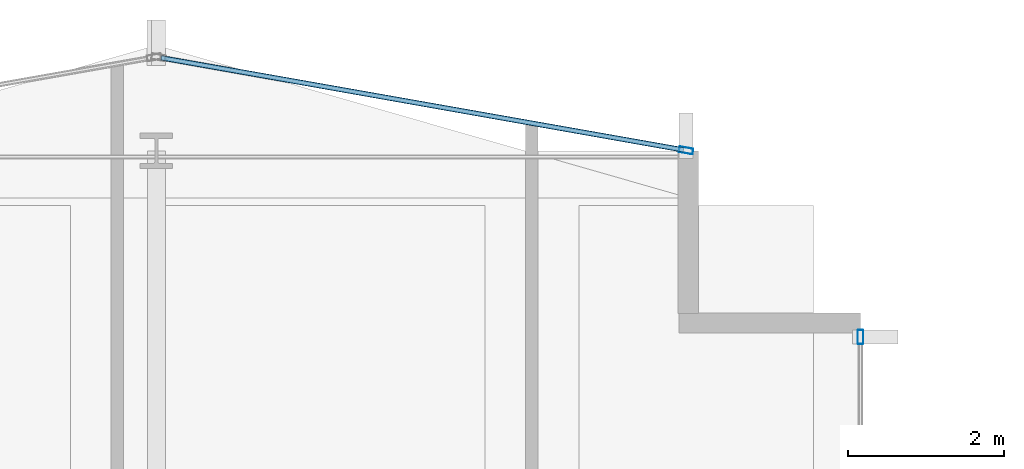
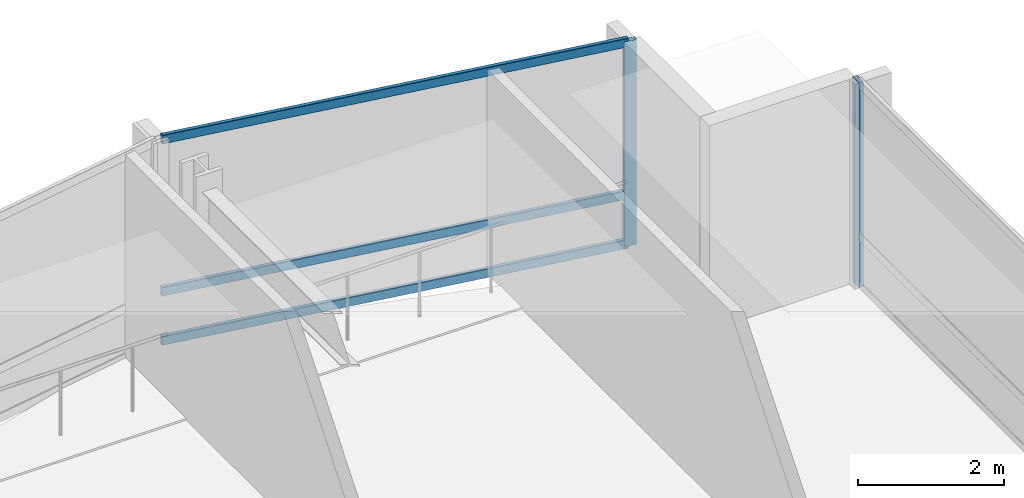
# One storey, part 20 of 29: 5 members, 2 elements without a shape of their own.
"""IFC4 building model written with IfcOpenShell, lengths in metres."""

from ifc_helpers import new_model, si_unit, direction, frame, origin, origin_2d, place, context, subcontext, project, spatial, hollow_rectangle, extrude, material, layer, layer_set, material_profile, profile_set, type_object, element, aggregate, save


model = new_model("IFC4")

# Units and contexts
model_context = context("Model", 3, precision=1e-05, world=origin(), true_north=direction((0.0, 1.0)))
body_context = subcontext(model_context, "Body", "Model", "MODEL_VIEW")
ifc_project = project(units=[si_unit("LENGTHUNIT", "METRE"), si_unit("AREAUNIT", "SQUARE_METRE"), si_unit("VOLUMEUNIT", "CUBIC_METRE"), si_unit("PLANEANGLEUNIT", "RADIAN"), si_unit("MASSUNIT", "GRAM", prefix="KILO")], contexts=[model_context])

# Site, building, storey
site_placement = place(None, origin())
site = spatial("IfcSite", under=ifc_project, at=site_placement, CompositionType="ELEMENT")
building_placement = place(site_placement, origin())
building = spatial("IfcBuilding", under=site, at=building_placement, Name="Solvaryn Broadcast Tower", CompositionType="ELEMENT")
storey_placement = place(building_placement, frame((0.0, 0.0, 113.699951171875)))
storey = spatial("IfcBuildingStorey", under=building, at=storey_placement, Name="L27", CompositionType="ELEMENT", Elevation=113.699951171875)

# Curtain wall, member
ifc_material_1 = material(Name="Aluminium and Terracotta Unitised Curtain Wall", Category="masonry")
ifc_layer = layer(ifc_material_1, 0.199951171875)
ifc_layer_set = layer_set([ifc_layer], Name="CW-SYS2-LOWMID")
curtain_wall_type = type_object("IfcCurtainWallType", Name="CW-SYS2-LOWMID", PredefinedType="NOTDEFINED", material=ifc_layer_set)
curtain_wall_1_placement = place(storey_placement, origin())
curtain_wall_1 = element("IfcCurtainWall", 1, at=curtain_wall_1_placement, inside=storey, type_object=curtain_wall_type, Name="L27 Curtain Wall IV", PredefinedType="NOTDEFINED")
ifc_material_2 = material(Name="Anodised Aluminium 6063-T6", Category="aluminium")
ifc_material_profile_1 = material_profile(ifc_material_2, hollow_rectangle(XDim=0.074951171875, YDim=0.179931640625, WallThickness=0.00390625, InnerFilletRadius=0.00390625, OuterFilletRadius=0.008056640625, at=origin_2d()))
ifc_profile_set_1 = profile_set([ifc_material_profile_1], Name="Anodised Aluminium 6063-T6")
member_type_1 = type_object("IfcMemberType", Name="CW-MUL-180", PredefinedType="MULLION", material=ifc_profile_set_1)
member_1_placement = place(storey_placement, frame((27.0, 51.6201171875, 0.0), z_axis=(0.0, 0.0, 1.0), x_axis=(1.0, 0.0, 0.0)))
member_1 = element("IfcMember", 2, at=member_1_placement, type_object=member_type_1, Name="CWS2 mullion 1", PredefinedType="MULLION", context=body_context, shape_type="SweptSolid", body=[
    extrude(hollow_rectangle(XDim=0.074951171875, YDim=0.179931640625, WallThickness=0.00390625, InnerFilletRadius=0.00390625, OuterFilletRadius=0.008056640625, at=origin_2d()), origin(), (0.0, 0.0, 1.0), 3.420166015625),
])
aggregate(curtain_wall_1, [member_1])

# Curtain wall, members
curtain_wall_2_placement = place(storey_placement, origin())
curtain_wall_2 = element("IfcCurtainWall", 3, at=curtain_wall_2_placement, inside=storey, type_object=curtain_wall_type, Name="L27 Curtain Wall NT1", PredefinedType="NOTDEFINED")
member_2_placement = place(storey_placement, frame((24.7705078125, 54.005126953125, 0.0), z_axis=(0.0, 0.0, 1.0), x_axis=(-0.173785333901, -0.984783558819, 0.0)))
member_2 = element("IfcMember", 4, at=member_2_placement, type_object=member_type_1, Name="CWS2 mullion 1", PredefinedType="MULLION", context=body_context, shape_type="SweptSolid", body=[
    extrude(hollow_rectangle(XDim=0.074951171875, YDim=0.179931640625, WallThickness=0.00390625, InnerFilletRadius=0.00390625, OuterFilletRadius=0.008056640625, at=origin_2d()), origin(), (0.0, 0.0, 1.0), 3.420166015625),
])
ifc_material_3 = material(Name="Anodised Aluminium 6063-T6", Category="aluminium")
ifc_material_profile_2 = material_profile(ifc_material_3, hollow_rectangle(XDim=0.06494140625, YDim=0.14990234375, WallThickness=0.00390625, InnerFilletRadius=0.00390625, OuterFilletRadius=0.008056640625, at=origin_2d()))
ifc_profile_set_2 = profile_set([ifc_material_profile_2], Name="Anodised Aluminium 6063-T6")
member_type_2 = type_object("IfcMemberType", Name="CW-TRN-150", PredefinedType="USERDEFINED", material=ifc_profile_set_2)
member_3_placement = place(storey_placement, frame((24.740966796875, 54.010498046875, 0.030029296875), z_axis=(-0.984788629673, 0.173756596613, 0.0), x_axis=(-0.173756596613, -0.984788629673, 0.0)))
member_3 = element("IfcMember", 5, at=member_3_placement, type_object=member_type_2, Name="CWS2 transom 1.1", ObjectType="TRANSOM", PredefinedType="USERDEFINED", context=body_context, shape_type="SweptSolid", body=[
    extrude(hollow_rectangle(XDim=0.06494140625, YDim=0.14990234375, WallThickness=0.00390625, InnerFilletRadius=0.00390625, OuterFilletRadius=0.008056640625, at=origin_2d()), origin(), (0.0, 0.0, 1.0), 6.78515625),
])
member_4_placement = place(storey_placement, frame((24.740966796875, 54.010498046875, 0.85009765625), z_axis=(-0.984788629673, 0.173756596613, 0.0), x_axis=(-0.173756596613, -0.984788629673, 0.0)))
member_4 = element("IfcMember", 6, at=member_4_placement, type_object=member_type_2, Name="CWS2 transom 1.2", ObjectType="TRANSOM", PredefinedType="USERDEFINED", context=body_context, shape_type="SweptSolid", body=[
    extrude(hollow_rectangle(XDim=0.06494140625, YDim=0.14990234375, WallThickness=0.00390625, InnerFilletRadius=0.00390625, OuterFilletRadius=0.008056640625, at=origin_2d()), origin(), (0.0, 0.0, 1.0), 6.78515625),
])
member_5_placement = place(storey_placement, frame((24.740966796875, 54.010498046875, 3.39013671875), z_axis=(-0.984788629673, 0.173756596613, 0.0), x_axis=(-0.173756596613, -0.984788629673, 0.0)))
member_5 = element("IfcMember", 7, at=member_5_placement, type_object=member_type_2, Name="CWS2 transom 1.3", ObjectType="TRANSOM", PredefinedType="USERDEFINED", context=body_context, shape_type="SweptSolid", body=[
    extrude(hollow_rectangle(XDim=0.06494140625, YDim=0.14990234375, WallThickness=0.00390625, InnerFilletRadius=0.00390625, OuterFilletRadius=0.008056640625, at=origin_2d()), origin(), (0.0, 0.0, 1.0), 6.78515625),
])
aggregate(curtain_wall_2, [member_2, member_3, member_4, member_5])

save(model, "model.ifc")
